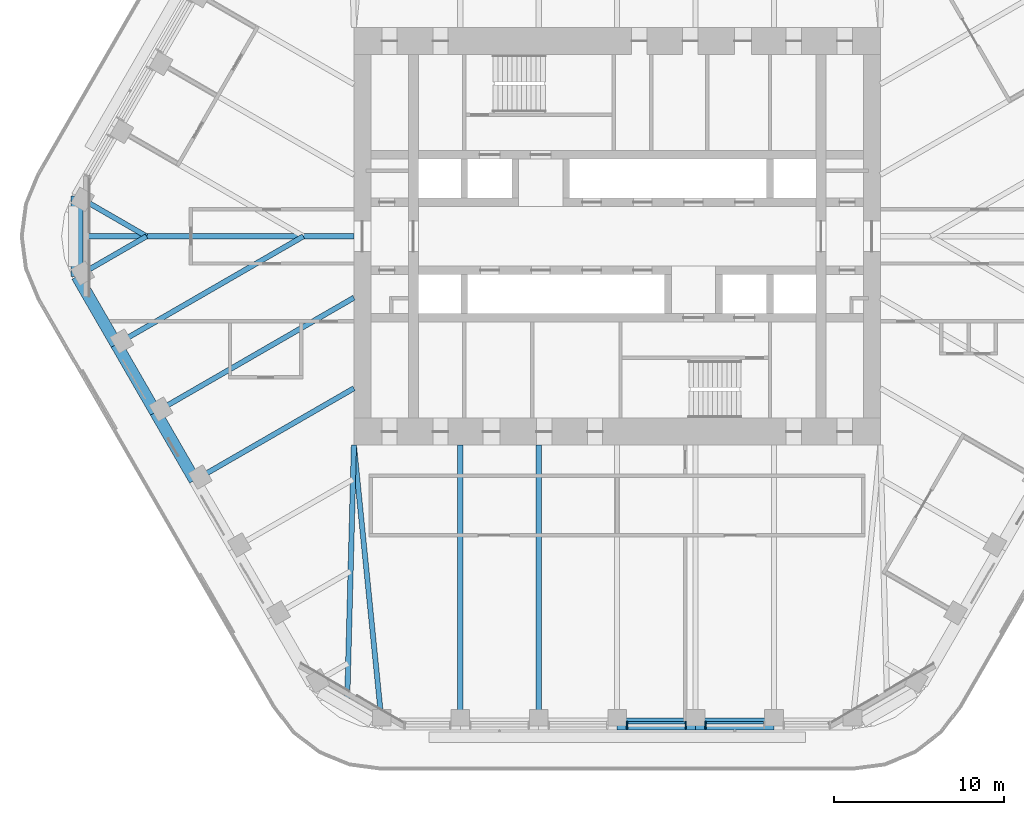
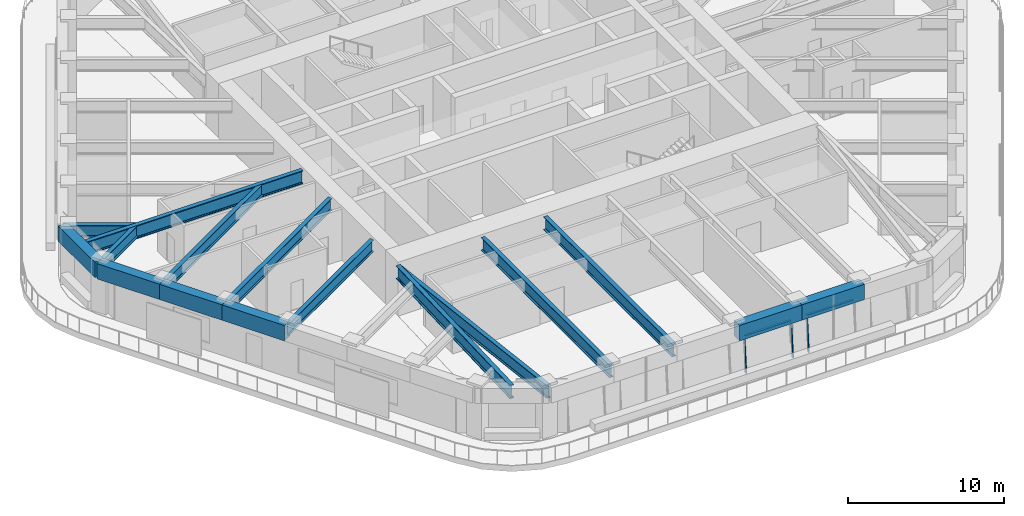
# One storey, part 3 of 20: 16 beams, 5 members, 2 elements without a shape of their own.
"""IFC4 building model written with IfcOpenShell, lengths in metres."""

from ifc_helpers import new_model, si_unit, direction, frame, origin, origin_2d, place, context, subcontext, project, spatial, rectangle, i_section, extrude, material, material_profile, profile_set, type_object, element, aggregate, save


model = new_model("IFC4")

# Units and contexts
model_context = context("Model", 3, precision=1e-05, world=origin(), true_north=direction((0.0, 1.0)))
body_context = subcontext(model_context, "Body", "Model", "MODEL_VIEW")
ifc_project = project(units=[si_unit("LENGTHUNIT", "METRE"), si_unit("AREAUNIT", "SQUARE_METRE"), si_unit("VOLUMEUNIT", "CUBIC_METRE"), si_unit("PLANEANGLEUNIT", "RADIAN"), si_unit("MASSUNIT", "GRAM", prefix="KILO")], contexts=[model_context])

# Site, building, storey
site_placement = place(None, origin())
site = spatial("IfcSite", under=ifc_project, at=site_placement, CompositionType="ELEMENT")
building_placement = place(site_placement, origin())
building = spatial("IfcBuilding", under=site, at=building_placement, Name="Tarfa Lantern Tower", CompositionType="ELEMENT")
storey_placement = place(building_placement, frame((0.0, 0.0, 282.699951171875)))
storey = spatial("IfcBuildingStorey", under=building, at=storey_placement, Name="L64", CompositionType="ELEMENT", Elevation=282.699951171875)

# Curtain wall, members
ifc_material_1 = material(Name="Aluminium framed curtain wall", Category="aluminium")
curtain_wall_type = type_object("IfcCurtainWallType", Name="CW3 CANTED GLAZING HIGH ZONE 2800", PredefinedType="USERDEFINED", material=ifc_material_1)
curtain_wall_1_placement = place(storey_placement, origin())
curtain_wall_1 = element("IfcCurtainWall", 1, at=curtain_wall_1_placement, inside=storey, type_object=curtain_wall_type, Name="CW3 S L64", ObjectType="CURTAIN WALL", PredefinedType="USERDEFINED")
ifc_material_2 = material(Name="Aluminium mullion", Category="aluminium")
ifc_material_profile_1 = material_profile(ifc_material_2, rectangle(XDim=0.06494140625, YDim=0.199951171875, at=origin_2d()), Name="AL MULLION 65x200")
ifc_profile_set_1 = profile_set([ifc_material_profile_1], Name="Aluminium mullion")
member_type_1 = type_object("IfcMemberType", Name="CWM1 MULLION 65x200", PredefinedType="MULLION", material=ifc_profile_set_1)
member_1_placement = place(storey_placement, frame((0.58251953125, -28.89990234375, 0.0), z_axis=(0.0, 0.088930399417, 0.996037842685), x_axis=(-1.0, 0.0, 0.0)))
member_1 = element("IfcMember", 2, at=member_1_placement, type_object=member_type_1, Name="CW3 mullion 1", PredefinedType="MULLION", context=body_context, shape_type="SweptSolid", body=[
    extrude(rectangle(XDim=0.06494140625, YDim=0.199951171875, at=origin_2d()), origin(), (0.0, 0.0, 1.0), 2.811279296875),
])
member_2_placement = place(storey_placement, frame((4.036376953125, -28.89990234375, 0.0), z_axis=(0.0, 0.088930399417, 0.996037842685), x_axis=(-1.0, 0.0, 0.0)))
member_2 = element("IfcMember", 3, at=member_2_placement, type_object=member_type_1, Name="CW3 mullion 2", PredefinedType="MULLION", context=body_context, shape_type="SweptSolid", body=[
    extrude(rectangle(XDim=0.06494140625, YDim=0.199951171875, at=origin_2d()), origin(), (0.0, 0.0, 1.0), 2.811279296875),
])

# Curtain wall, member
curtain_wall_2_placement = place(storey_placement, origin())
curtain_wall_2 = element("IfcCurtainWall", 4, at=curtain_wall_2_placement, inside=storey, type_object=curtain_wall_type, Name="CW3 S L64", ObjectType="CURTAIN WALL", PredefinedType="USERDEFINED")
member_3_placement = place(storey_placement, frame((5.201416015625, -28.89990234375, 0.0), z_axis=(0.0, 0.088930399417, 0.996037842685), x_axis=(-1.0, 0.0, 0.0)))
member_3 = element("IfcMember", 5, at=member_3_placement, type_object=member_type_1, Name="CW3 mullion 1", PredefinedType="MULLION", context=body_context, shape_type="SweptSolid", body=[
    extrude(rectangle(XDim=0.06494140625, YDim=0.199951171875, at=origin_2d()), origin(), (0.0, 0.0, 1.0), 2.811279296875),
])

# Member
ifc_material_3 = material(Name="Aluminium transom", Category="aluminium")
ifc_material_profile_2 = material_profile(ifc_material_3, rectangle(XDim=0.14990234375, YDim=0.06494140625, at=origin_2d()), Name="AL TRANSOM 150x65")
ifc_profile_set_2 = profile_set([ifc_material_profile_2], Name="Aluminium transom")
member_type_2 = type_object("IfcMemberType", Name="CWT1 TRANSOM 150x65", PredefinedType="USERDEFINED", material=ifc_profile_set_2)
member_4_placement = place(storey_placement, frame((0.614990234375, -28.65283203125, 2.767578125), z_axis=(1.0, 0.0, 0.0), x_axis=(0.0, 1.0, 0.0)))
member_4 = element("IfcMember", 6, at=member_4_placement, type_object=member_type_2, Name="CW3 transom 1.2", ObjectType="TRANSOM", PredefinedType="USERDEFINED", context=body_context, shape_type="SweptSolid", body=[
    extrude(rectangle(XDim=0.14990234375, YDim=0.06494140625, at=origin_2d()), origin(), (0.0, 0.0, 1.0), 3.388916015625),
])

aggregate(curtain_wall_1, [member_1, member_2, member_4])

member_5_placement = place(storey_placement, frame((5.23388671875, -28.65283203125, 2.767578125), z_axis=(1.0, 0.0, 0.0), x_axis=(0.0, 1.0, 0.0)))
member_5 = element("IfcMember", 7, at=member_5_placement, type_object=member_type_2, Name="CW3 transom 1.2", ObjectType="TRANSOM", PredefinedType="USERDEFINED", context=body_context, shape_type="SweptSolid", body=[
    extrude(rectangle(XDim=0.14990234375, YDim=0.06494140625, at=origin_2d()), origin(), (0.0, 0.0, 1.0), 3.388671875),
])

aggregate(curtain_wall_2, [member_3, member_5])

# Beams
ifc_material_4 = material(Name="Concrete C80/95", Category="concrete")
ifc_material_profile_3 = material_profile(ifc_material_4, rectangle(XDim=0.699951171875, YDim=1.199951171875, at=origin_2d()), Name="RC 700x1200")
ifc_profile_set_3 = profile_set([ifc_material_profile_3], Name="Concrete C80/95")
beam_type_1 = type_object("IfcBeamType", Name="EB3 RC 700x1200", PredefinedType="SPANDREL", material=ifc_profile_set_3)
beam_1_placement = place(storey_placement, frame((-31.800537109375, 2.360107421875, 3.400146484375), z_axis=(0.0, -1.0, 0.0), x_axis=(1.0, 0.0, 0.0)))
element("IfcBeam", 8, at=beam_1_placement, inside=storey, type_object=beam_type_1, Name="Edge beam NW6", PredefinedType="SPANDREL", context=body_context, shape_type="SweptSolid", body=[
    extrude(rectangle(XDim=0.699951171875, YDim=1.199951171875, at=origin_2d()), origin(), (0.0, 0.0, 1.0), 4.72021484375),
])
beam_2_placement = place(storey_placement, frame((-31.800537109375, -2.360107421875, 3.400146484375), z_axis=(0.500027479704, -0.866009537788, 0.0), x_axis=(0.866009537788, 0.500027479704, 0.0)))
element("IfcBeam", 9, at=beam_2_placement, inside=storey, type_object=beam_type_1, Name="Edge beam SW0", PredefinedType="SPANDREL", context=body_context, shape_type="SweptSolid", body=[
    extrude(rectangle(XDim=0.699951171875, YDim=1.199951171875, at=origin_2d()), origin(), (0.0, 0.0, 1.0), 4.618896484375),
])
for number, where, z_axis, x_axis, name in (
    (10, (-29.490966796875, -6.360107421875, 3.400146484375), (0.499987836815, -0.866032426089, 0.0), (0.866032426089, 0.499987836815, 0.0), "Edge beam SW1"),
    (11, (-27.181640625, -10.360107421875, 3.400146484375), (0.499987836815, -0.866032426089, 0.0), (0.866032426089, 0.499987836815, 0.0), "Edge beam SW2"),
):
    element("IfcBeam", number, at=place(storey_placement, frame(where, z_axis=z_axis, x_axis=x_axis)), inside=storey, type_object=beam_type_1, Name=name, PredefinedType="SPANDREL", context=body_context, shape_type="SweptSolid", body=[
        extrude(rectangle(XDim=0.699951171875, YDim=1.199951171875, at=origin_2d()), origin(), (0.0, 0.0, 1.0), 4.61865234375),
    ])
beam_3_placement = place(storey_placement, frame((0.0, -28.719970703125, 3.400146484375), z_axis=(1.0, 0.0, 0.0), x_axis=(0.0, 1.0, 0.0)))
element("IfcBeam", 12, at=beam_3_placement, inside=storey, type_object=beam_type_1, Name="Edge beam S3", PredefinedType="SPANDREL", context=body_context, shape_type="SweptSolid", body=[
    extrude(rectangle(XDim=0.699951171875, YDim=1.199951171875, at=origin_2d()), origin(), (0.0, 0.0, 1.0), 4.618896484375),
])
beam_4_placement = place(storey_placement, frame((4.618896484375, -28.719970703125, 3.400146484375), z_axis=(1.0, 0.0, 0.0), x_axis=(0.0, 1.0, 0.0)))
element("IfcBeam", 13, at=beam_4_placement, inside=storey, type_object=beam_type_1, Name="Edge beam S4", PredefinedType="SPANDREL", context=body_context, shape_type="SweptSolid", body=[
    extrude(rectangle(XDim=0.699951171875, YDim=1.199951171875, at=origin_2d()), origin(), (0.0, 0.0, 1.0), 4.61865234375),
])
ifc_material_5 = material(Name="Steel S460M", Category="steel")
ifc_material_profile_4 = material_profile(ifc_material_5, i_section(OverallWidth=0.302001953125, OverallDepth=1.008056640625, WebThickness=0.02099609375, FlangeThickness=0.0400390625, FilletRadius=0.030029296875, at=origin_2d()), Name="UB1016x305x349")
ifc_profile_set_4 = profile_set([ifc_material_profile_4], Name="Steel S460M")
beam_type_2 = type_object("IfcBeamType", Name="UB1016x305x349", PredefinedType="BEAM", material=ifc_profile_set_4)
beam_5_placement = place(storey_placement, frame((-13.8564453125, -28.719970703125, 3.49609375), z_axis=(-0.099597466746, 0.995027810977, 0.0), x_axis=(-0.995027810977, -0.099597466746, 0.0)))
element("IfcBeam", 14, at=beam_5_placement, inside=storey, type_object=beam_type_2, Name="Floor beam S0", PredefinedType="BEAM", context=body_context, shape_type="SweptSolid", body=[
    extrude(i_section(OverallWidth=0.302001953125, OverallDepth=1.008056640625, WebThickness=0.02099609375, FlangeThickness=0.0400390625, FilletRadius=0.030029296875, at=origin_2d()), origin(), (0.0, 0.0, 1.0), 16.501953125),
])
for number, where, z_axis, x_axis, name in (
    (15, (-9.237548828125, -28.719970703125, 3.49609375), (0.0, 1.0, 0.0), (-1.0, 0.0, 0.0), "Floor beam S1"),
    (16, (-4.618896484375, -28.719970703125, 3.49609375), (0.0, 1.0, 0.0), (-1.0, 0.0, 0.0), "Floor beam S2"),
):
    element("IfcBeam", number, at=place(storey_placement, frame(where, z_axis=z_axis, x_axis=x_axis)), inside=storey, type_object=beam_type_2, Name=name, PredefinedType="BEAM", context=body_context, shape_type="SweptSolid", body=[
        extrude(i_section(OverallWidth=0.302001953125, OverallDepth=1.008056640625, WebThickness=0.02099609375, FlangeThickness=0.0400390625, FilletRadius=0.030029296875, at=origin_2d()), origin(), (0.0, 0.0, 1.0), 16.419921875),
    ])
ifc_material_profile_5 = material_profile(ifc_material_5, i_section(OverallWidth=0.30859375, OverallDepth=1.036376953125, WebThickness=0.030029296875, FlangeThickness=0.05419921875, FilletRadius=0.030029296875, at=origin_2d()), Name="UB1016x305x487")
ifc_profile_set_5 = profile_set([ifc_material_profile_5], Name="Steel S460M")
beam_type_3 = type_object("IfcBeamType", Name="UB1016x305x487", PredefinedType="BEAM", material=ifc_profile_set_5)
beam_6_placement = place(storey_placement, frame((-15.5, 0.0, 3.48193359375), z_axis=(-1.0, 0.0, 0.0), x_axis=(0.0, -1.0, 0.0)))
element("IfcBeam", 17, at=beam_6_placement, inside=storey, type_object=beam_type_3, Name="Hip girder W", PredefinedType="BEAM", context=body_context, shape_type="SweptSolid", body=[
    extrude(i_section(OverallWidth=0.30859375, OverallDepth=1.036376953125, WebThickness=0.030029296875, FlangeThickness=0.05419921875, FilletRadius=0.030029296875, at=origin_2d()), origin(), (0.0, 0.0, 1.0), 16.300537109375),
])
beam_7_placement = place(storey_placement, frame((-15.5, -12.300048828125, 3.48193359375), z_axis=(-0.026247301989, -0.999655480222, 0.0), x_axis=(0.999655480222, -0.026247301989, 0.0)))
element("IfcBeam", 18, at=beam_7_placement, inside=storey, type_object=beam_type_3, Name="Hip girder SW", PredefinedType="BEAM", context=body_context, shape_type="SweptSolid", body=[
    extrude(i_section(OverallWidth=0.30859375, OverallDepth=1.036376953125, WebThickness=0.030029296875, FlangeThickness=0.05419921875, FilletRadius=0.030029296875, at=origin_2d()), origin(), (0.0, 0.0, 1.0), 15.245361328125),
])
ifc_material_profile_6 = material_profile(ifc_material_5, i_section(OverallWidth=0.305419921875, OverallDepth=0.91845703125, WebThickness=0.017333984375, FlangeThickness=0.02783203125, FilletRadius=0.01904296875, at=origin_2d()), Name="UB914x305x253")
ifc_profile_set_6 = profile_set([ifc_material_profile_6], Name="Steel S460M")
beam_type_4 = type_object("IfcBeamType", Name="UB914x305x253", PredefinedType="BEAM", material=ifc_profile_set_6)
for number, where, z_axis, x_axis, name in (
    (19, (-31.800537109375, 2.360107421875, 3.540771484375), (0.866015897305, -0.500016465344, 0.0), (0.500016465344, 0.866015897305, 0.0), "Floor beam NW6"),
    (20, (-31.800537109375, -2.360107421875, 3.540771484375), (0.866015897305, 0.500016465344, 0.0), (-0.500016465344, 0.866015897305, 0.0), "Floor beam SW0"),
):
    element("IfcBeam", number, at=place(storey_placement, frame(where, z_axis=z_axis, x_axis=x_axis)), inside=storey, type_object=beam_type_4, Name=name, PredefinedType="BEAM", context=body_context, shape_type="SweptSolid", body=[
        extrude(i_section(OverallWidth=0.305419921875, OverallDepth=0.91845703125, WebThickness=0.017333984375, FlangeThickness=0.02783203125, FilletRadius=0.01904296875, at=origin_2d()), origin(), (0.0, 0.0, 1.0), 4.719970703125),
    ])
beam_8_placement = place(storey_placement, frame((-29.490966796875, -6.360107421875, 3.540771484375), z_axis=(0.866022258038, 0.500005448553, 0.0), x_axis=(-0.500005448553, 0.866022258038, 0.0)))
element("IfcBeam", 21, at=beam_8_placement, inside=storey, type_object=beam_type_4, Name="Floor beam SW1", PredefinedType="BEAM", context=body_context, shape_type="SweptSolid", body=[
    extrude(i_section(OverallWidth=0.305419921875, OverallDepth=0.91845703125, WebThickness=0.017333984375, FlangeThickness=0.02783203125, FilletRadius=0.01904296875, at=origin_2d()), origin(), (0.0, 0.0, 1.0), 12.719970703125),
])
beam_9_placement = place(storey_placement, frame((-27.181640625, -10.360107421875, 3.540771484375), z_axis=(0.866018002818, 0.500012818631, 0.0), x_axis=(-0.500012818631, 0.866018002818, 0.0)))
element("IfcBeam", 22, at=beam_9_placement, inside=storey, type_object=beam_type_4, Name="Floor beam SW2", PredefinedType="BEAM", context=body_context, shape_type="SweptSolid", body=[
    extrude(i_section(OverallWidth=0.305419921875, OverallDepth=0.91845703125, WebThickness=0.017333984375, FlangeThickness=0.02783203125, FilletRadius=0.01904296875, at=origin_2d()), origin(), (0.0, 0.0, 1.0), 13.489013671875),
])
beam_10_placement = place(storey_placement, frame((-24.872314453125, -14.360107421875, 3.540771484375), z_axis=(0.8660244219, 0.500001700669, 0.0), x_axis=(-0.500001700669, 0.8660244219, 0.0)))
element("IfcBeam", 23, at=beam_10_placement, inside=storey, type_object=beam_type_4, Name="Floor beam SW3", PredefinedType="BEAM", context=body_context, shape_type="SweptSolid", body=[
    extrude(i_section(OverallWidth=0.305419921875, OverallDepth=0.91845703125, WebThickness=0.017333984375, FlangeThickness=0.02783203125, FilletRadius=0.01904296875, at=origin_2d()), origin(), (0.0, 0.0, 1.0), 10.822265625),
])

save(model, "model.ifc")
